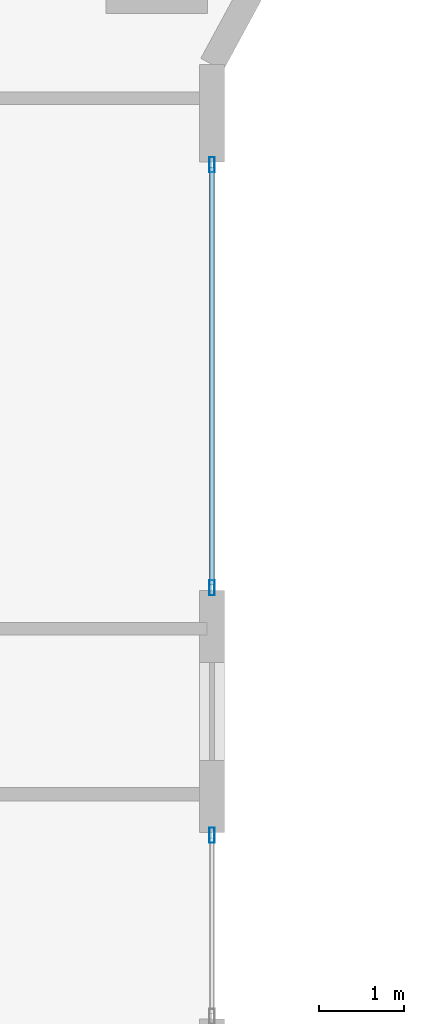
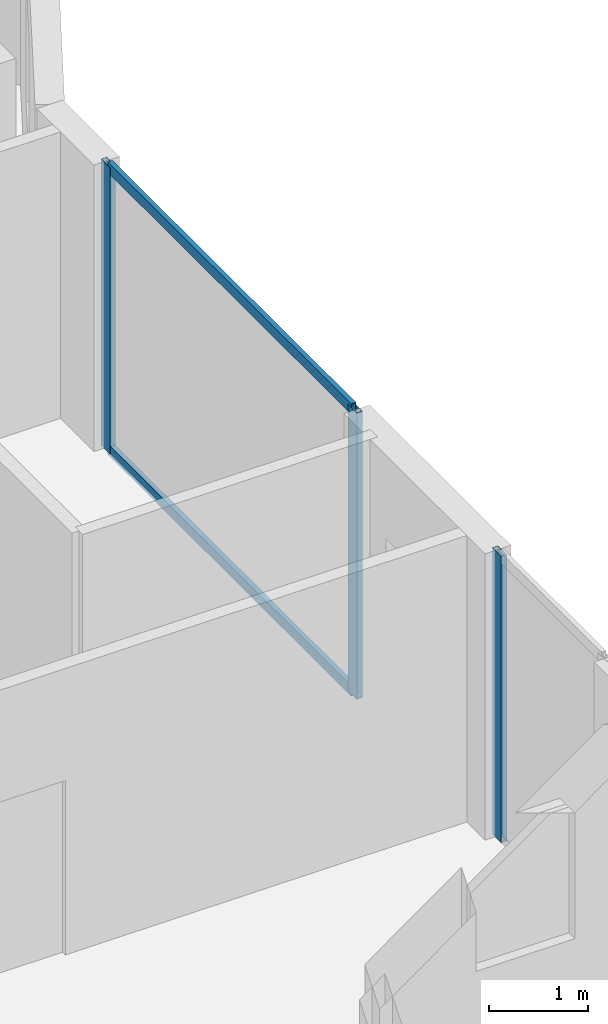
# One storey, part 12 of 33: 5 members, 2 elements without a shape of their own.
"""IFC4 building model written with IfcOpenShell, lengths in metres."""

from ifc_helpers import new_model, si_unit, direction, frame, origin, origin_2d, place, context, subcontext, project, spatial, hollow_rectangle, extrude, material, layer, layer_set, material_profile, profile_set, type_object, element, aggregate, save


model = new_model("IFC4")

# Units and contexts
model_context = context("Model", 3, precision=1e-05, world=origin(), true_north=direction((0.0, 1.0)))
body_context = subcontext(model_context, "Body", "Model", "MODEL_VIEW")
ifc_project = project(units=[si_unit("LENGTHUNIT", "METRE"), si_unit("AREAUNIT", "SQUARE_METRE"), si_unit("VOLUMEUNIT", "CUBIC_METRE"), si_unit("PLANEANGLEUNIT", "RADIAN"), si_unit("MASSUNIT", "GRAM", prefix="KILO")], contexts=[model_context])

# Site, building, storey
site_placement = place(None, origin())
site = spatial("IfcSite", under=ifc_project, at=site_placement, CompositionType="ELEMENT")
building_placement = place(site_placement, origin())
building = spatial("IfcBuilding", under=site, at=building_placement, Name="Zuhayl Quay Hotel", CompositionType="ELEMENT")
storey_placement = place(building_placement, frame((0.0, 0.0, 222.39990234375)))
storey = spatial("IfcBuildingStorey", under=building, at=storey_placement, Name="L56", CompositionType="ELEMENT", Elevation=222.39990234375)

# Curtain wall, members
ifc_material_1 = material(Name="Anodised Aluminium 6063-T6", Category="aluminium")
ifc_layer = layer(ifc_material_1, 0.175048828125, Name="Anodised Aluminium 6063-T6", Category="aluminium")
ifc_layer_set = layer_set([ifc_layer], Name="Anodised Aluminium 6063-T6")
curtain_wall_type = type_object("IfcCurtainWallType", Name="CW_SYS_Z3", PredefinedType="USERDEFINED", material=ifc_layer_set)
curtain_wall_1_placement = place(storey_placement, origin())
curtain_wall_1 = element("IfcCurtainWall", 1, at=curtain_wall_1_placement, inside=storey, type_object=curtain_wall_type, Name="L56 Curtain Wall ENV_L56_E14_CW1", ObjectType="UNITISED CURTAIN WALL", PredefinedType="USERDEFINED")
ifc_material_2 = material(Name="Black-anodised aluminium 6063-T6", Category="aluminium")
ifc_material_profile_1 = material_profile(ifc_material_2, hollow_rectangle(XDim=0.06494140625, YDim=0.179931640625, WallThickness=0.00341796875, at=origin_2d()), Name="ALU180X65")
ifc_profile_set_1 = profile_set([ifc_material_profile_1], Name="Black-anodised aluminium 6063-T6")
member_type_1 = type_object("IfcMemberType", Name="MB_CW_MUL_180", PredefinedType="MULLION", material=ifc_profile_set_1)
member_1_placement = place(storey_placement, frame((22.10009765625, 7.017578125, 0.0), z_axis=(0.0, 0.0, 1.0), x_axis=(1.0, 0.0, 0.0)))
member_1 = element("IfcMember", 2, at=member_1_placement, type_object=member_type_1, Name="CW-Z3 mullion 1", PredefinedType="MULLION", context=body_context, shape_type="SweptSolid", body=[
    extrude(hollow_rectangle(XDim=0.06494140625, YDim=0.179931640625, WallThickness=0.00341796875, at=origin_2d()), origin(), (0.0, 0.0, 1.0), 3.530029296875),
])
member_2_placement = place(storey_placement, frame((22.10009765625, 2.032470703125, 0.0), z_axis=(0.0, 0.0, 1.0), x_axis=(1.0, 0.0, 0.0)))
member_2 = element("IfcMember", 3, at=member_2_placement, type_object=member_type_1, Name="CW-Z3 mullion 2", PredefinedType="MULLION", context=body_context, shape_type="SweptSolid", body=[
    extrude(hollow_rectangle(XDim=0.06494140625, YDim=0.179931640625, WallThickness=0.00341796875, at=origin_2d()), origin(), (0.0, 0.0, 1.0), 3.530029296875),
])

# Curtain wall, member
curtain_wall_2_placement = place(storey_placement, origin())
curtain_wall_2 = element("IfcCurtainWall", 4, at=curtain_wall_2_placement, inside=storey, type_object=curtain_wall_type, Name="L56 Curtain Wall ENV_L56_E14_CW2", ObjectType="UNITISED CURTAIN WALL", PredefinedType="USERDEFINED")
member_3_placement = place(storey_placement, frame((22.10009765625, -0.882568359375, 0.0), z_axis=(0.0, 0.0, 1.0), x_axis=(1.0, 0.0, 0.0)))
member_3 = element("IfcMember", 5, at=member_3_placement, type_object=member_type_1, Name="CW-Z3 mullion 1", PredefinedType="MULLION", context=body_context, shape_type="SweptSolid", body=[
    extrude(hollow_rectangle(XDim=0.06494140625, YDim=0.179931640625, WallThickness=0.00341796875, at=origin_2d()), origin(), (0.0, 0.0, 1.0), 3.530029296875),
])
aggregate(curtain_wall_2, [member_3])

# Member
ifc_material_profile_2 = material_profile(ifc_material_2, hollow_rectangle(XDim=0.054931640625, YDim=0.1298828125, WallThickness=0.0029296875, at=origin_2d()), Name="ALU130X55")
ifc_profile_set_2 = profile_set([ifc_material_profile_2], Name="Black-anodised aluminium 6063-T6")
member_type_2 = type_object("IfcMemberType", Name="MB_CW_TRN_130", PredefinedType="USERDEFINED", material=ifc_profile_set_2)
member_4_placement = place(storey_placement, frame((22.10009765625, 6.985107421875, 0.027587890625), z_axis=(0.0, -1.0, 0.0), x_axis=(1.0, 0.0, 0.0)))
member_4 = element("IfcMember", 6, at=member_4_placement, type_object=member_type_2, Name="CW-Z3 transom 1.1", ObjectType="TRANSOM", PredefinedType="USERDEFINED", context=body_context, shape_type="SweptSolid", body=[
    extrude(hollow_rectangle(XDim=0.054931640625, YDim=0.1298828125, WallThickness=0.0029296875, at=origin_2d()), origin(), (0.0, 0.0, 1.0), 4.920166015625),
])

member_5_placement = place(storey_placement, frame((22.10009765625, 6.985107421875, 3.502685546875), z_axis=(0.0, -1.0, 0.0), x_axis=(1.0, 0.0, 0.0)))
member_5 = element("IfcMember", 7, at=member_5_placement, type_object=member_type_2, Name="CW-Z3 transom 1.2", ObjectType="TRANSOM", PredefinedType="USERDEFINED", context=body_context, shape_type="SweptSolid", body=[
    extrude(hollow_rectangle(XDim=0.054931640625, YDim=0.1298828125, WallThickness=0.0029296875, at=origin_2d()), origin(), (0.0, 0.0, 1.0), 4.920166015625),
])

aggregate(curtain_wall_1, [member_1, member_2, member_4, member_5])

save(model, "model.ifc")
